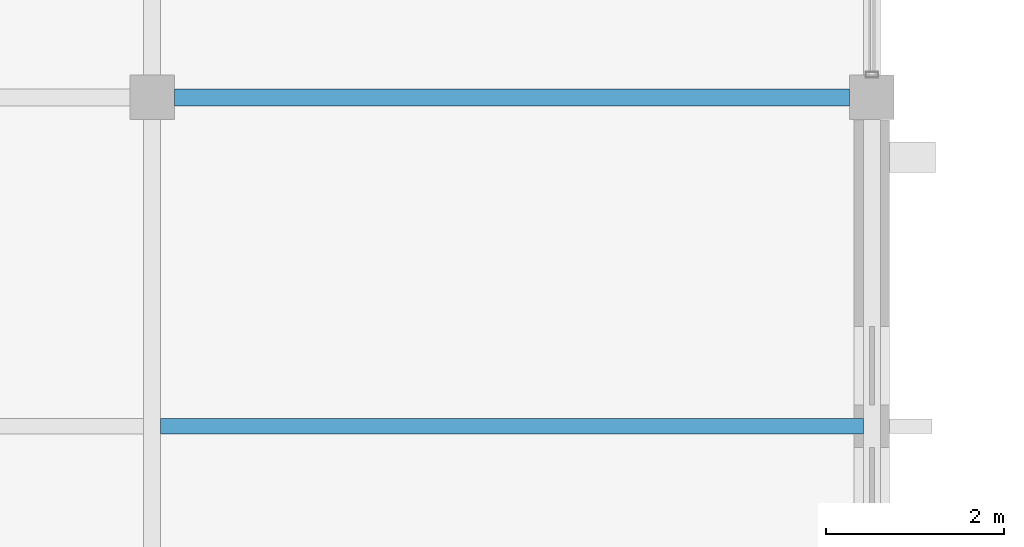
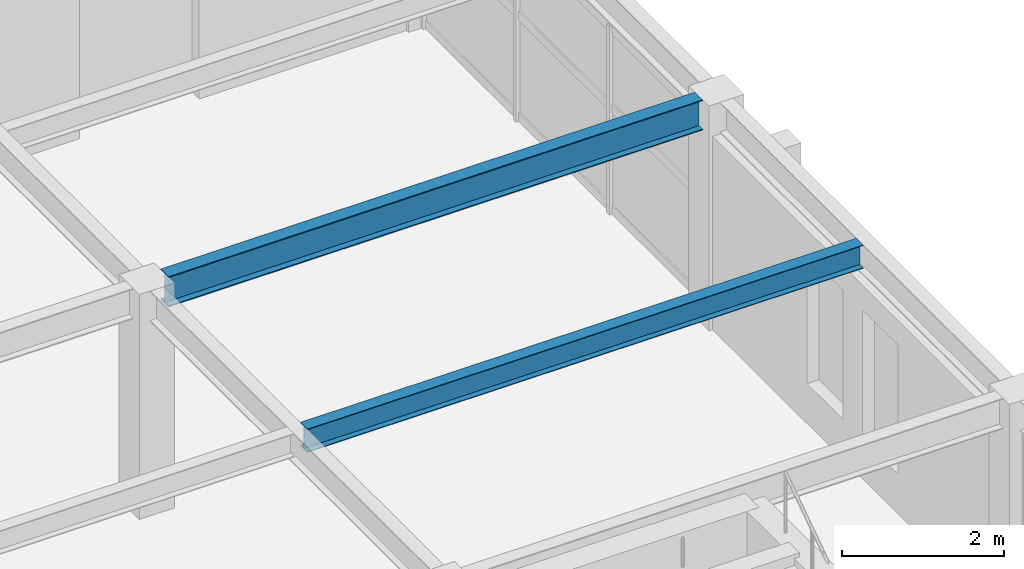
# One storey, part 53 of 93: 2 beams.
"""IFC4 building model written with IfcOpenShell, lengths in metres."""

from ifc_helpers import new_model, si_unit, direction, frame, origin, origin_2d, place, context, subcontext, project, spatial, i_section, extrude, material, material_profile, profile_set, type_object, element, save


model = new_model("IFC4")

# Units and contexts
model_context = context("Model", 3, precision=1e-05, world=origin(), true_north=direction((0.0, 1.0)))
body_context = subcontext(model_context, "Body", "Model", "MODEL_VIEW")
ifc_project = project(units=[si_unit("LENGTHUNIT", "METRE"), si_unit("AREAUNIT", "SQUARE_METRE"), si_unit("VOLUMEUNIT", "CUBIC_METRE"), si_unit("PLANEANGLEUNIT", "RADIAN"), si_unit("MASSUNIT", "GRAM", prefix="KILO")], contexts=[model_context])

# Site, building, storey
site_placement = place(None, origin())
site = spatial("IfcSite", under=ifc_project, at=site_placement, CompositionType="ELEMENT")
building_placement = place(site_placement, origin())
building = spatial("IfcBuilding", under=site, at=building_placement, Name="Cimatlan Art Gallery", CompositionType="ELEMENT")
storey_placement = place(building_placement, frame((0.0, 0.0, 13.800048828125)))
storey = spatial("IfcBuildingStorey", under=building, at=storey_placement, Name="L03", CompositionType="ELEMENT", Elevation=13.800048828125)

# Beams
ifc_material = material(Name="Steel ASTM A992 Grade 50", Category="steel")
ifc_material_profile_1 = material_profile(ifc_material, i_section(OverallWidth=0.1708984375, OverallDepth=0.35107421875, WebThickness=0.0068359375, FlangeThickness=0.009765625, at=origin_2d()), Name="W14X30")
ifc_profile_set_1 = profile_set([ifc_material_profile_1], Name="Steel ASTM A992 Grade 50")
beam_type_1 = type_object("IfcBeamType", Name="BM-STL-W14X30", PredefinedType="JOIST", material=ifc_profile_set_1)
beam_1_placement = place(storey_placement, frame((123.595458984375, 57.199951171875, 3.204345703125), z_axis=(1.0, 0.0, 0.0), x_axis=(0.0, 1.0, 0.0)))
element("IfcBeam", 1, at=beam_1_placement, inside=storey, type_object=beam_type_1, Name="JST-L03-15-07", PredefinedType="JOIST", context=body_context, shape_type="SweptSolid", body=[
    extrude(i_section(OverallWidth=0.1708984375, OverallDepth=0.35107421875, WebThickness=0.0068359375, FlangeThickness=0.009765625, at=origin_2d()), origin(), (0.0, 0.0, 1.0), 7.908935546875),
])
ifc_material_profile_2 = material_profile(ifc_material, i_section(OverallWidth=0.19091796875, OverallDepth=0.45703125, WebThickness=0.009033203125, FlangeThickness=0.014404296875, at=origin_2d()), Name="W18X50")
ifc_profile_set_2 = profile_set([ifc_material_profile_2], Name="Steel ASTM A992 Grade 50")
beam_type_2 = type_object("IfcBeamType", Name="BM-STL-W18X50", PredefinedType="BEAM", material=ifc_profile_set_2)
beam_2_placement = place(storey_placement, frame((123.75, 60.89990234375, 3.1513671875), z_axis=(1.0, 0.0, 0.0), x_axis=(0.0, 1.0, 0.0)))
element("IfcBeam", 2, at=beam_2_placement, inside=storey, type_object=beam_type_2, Name="BM-X-L03-15-08", PredefinedType="BEAM", context=body_context, shape_type="SweptSolid", body=[
    extrude(i_section(OverallWidth=0.19091796875, OverallDepth=0.45703125, WebThickness=0.009033203125, FlangeThickness=0.014404296875, at=origin_2d()), origin(), (0.0, 0.0, 1.0), 7.60009765625),
])

save(model, "model.ifc")
